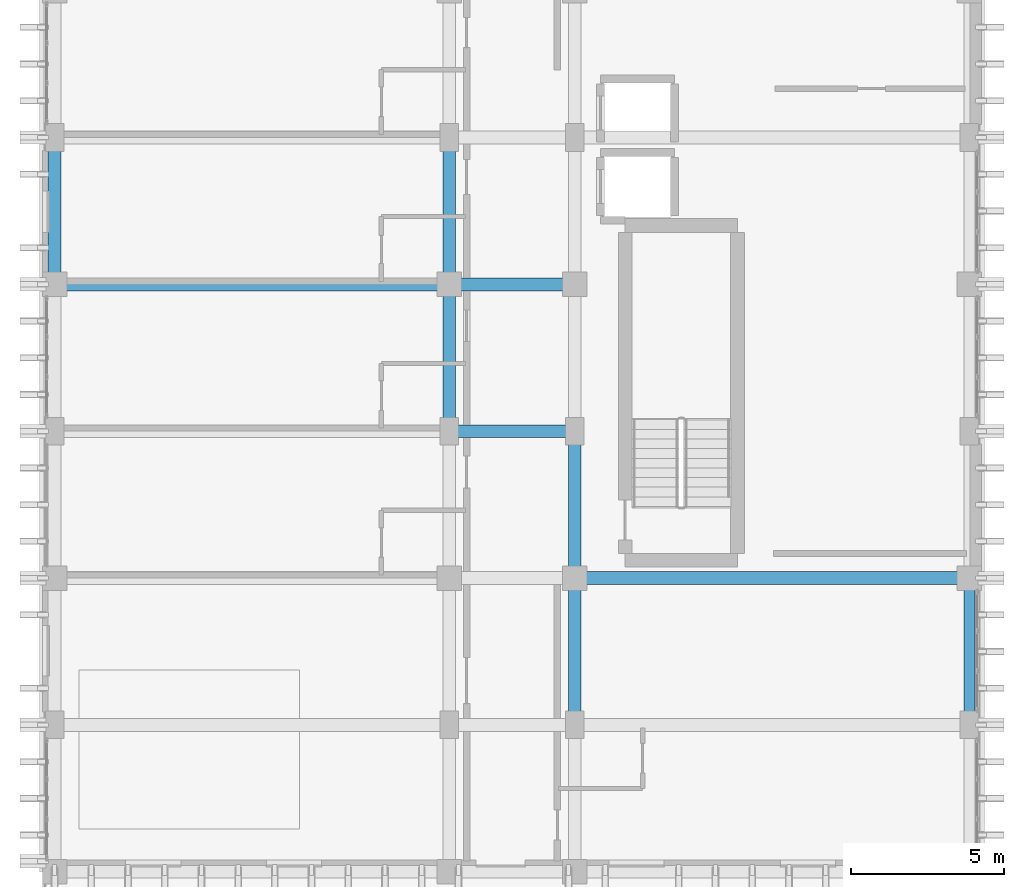
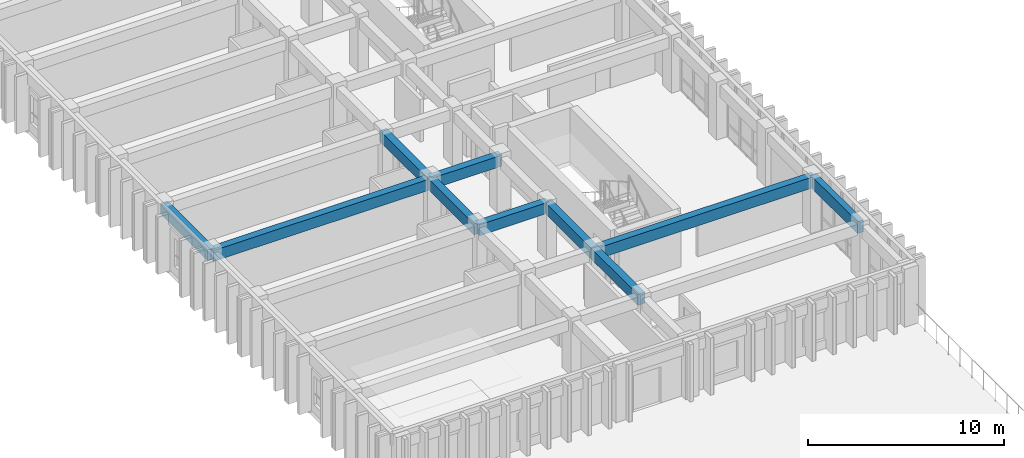
# One storey, part 9 of 82: 10 beams.
"""IFC4 building model written with IfcOpenShell, lengths in metres."""

import ifcopenshell
import ifcopenshell.guid

model = None  # the IFC model being written
_history = None  # IfcOwnerHistory: only IFC2X3 demands one
_inside = {}  # id of a spatial element -> (the spatial element, [elements in it])
_under = {}  # id of a project, library or spatial element -> (it, [spatial elements below it])
_declared = {}  # id of a project -> (the project, [libraries it declares])
_typed = {}  # id of a type object -> (the type object, [elements of that type])
_made_of = {}  # id of a material, layer set ... -> (it, [elements and type objects made of it])


def new_model(schema):
    """Start an empty IFC model of exactly this schema.

    Asked for "IFC4X3", IfcOpenShell would pick the latest addendum, in which some entities
    have other attributes; the version numbers below select the first issue.
    IFC2X3 requires an IfcOwnerHistory on every rooted entity: one is made here for all.
    """
    global model, _history
    if schema == "IFC4X3":
        model = ifcopenshell.file(schema_version=(4, 3, 0, 0))
    else:
        model = ifcopenshell.file(schema=schema)
    _inside.clear()
    _under.clear()
    _declared.clear()
    _typed.clear()
    _made_of.clear()
    _history = None
    if model.schema == "IFC2X3":
        org = make("IfcOrganization", Name="unknown")
        user = make(
            "IfcPersonAndOrganization",
            ThePerson=make("IfcPerson", FamilyName="unknown"),
            TheOrganization=org,
        )
        app = make(
            "IfcApplication",
            ApplicationDeveloper=org,
            Version="unknown",
            ApplicationFullName="unknown",
            ApplicationIdentifier="unknown",
        )
        _history = make(
            "IfcOwnerHistory",
            OwningUser=user,
            OwningApplication=app,
            ChangeAction="ADDED",
            CreationDate=0,
        )
    return model


def make(cls, **values):
    """One entity of the class cls with the attributes given. An attribute that is None is left unset."""
    return model.create_entity(
        cls, **{name: value for name, value in values.items() if value is not None}
    )


def rooted(cls, **values):
    """An entity with a GlobalId (a new one), such as an element, a storey or a relation."""
    return make(cls, GlobalId=ifcopenshell.guid.new(), OwnerHistory=_history, **values)


def si_unit(unit_type, name, prefix=None):
    """IfcSIUnit, for example si_unit("LENGTHUNIT", "METRE", prefix="MILLI")."""
    return make("IfcSIUnit", UnitType=unit_type, Prefix=prefix, Name=name)


def assignment(units):
    """IfcUnitAssignment: the units of a project."""
    return None if units is None else make("IfcUnitAssignment", Units=units)


def point(xyz):
    """IfcCartesianPoint."""
    return None if xyz is None else make("IfcCartesianPoint", Coordinates=xyz)


def direction(xyz):
    """IfcDirection."""
    return None if xyz is None else make("IfcDirection", DirectionRatios=xyz)


def frame(location, z_axis=None, x_axis=None):
    """IfcAxis2Placement3D, a coordinate frame: its origin and axes. An axis left out is left unset."""
    return make(
        "IfcAxis2Placement3D",
        Location=point(location),
        Axis=direction(z_axis),
        RefDirection=direction(x_axis),
    )


def frame_2d(location, x_axis=None):
    """IfcAxis2Placement2D, a coordinate frame in the plane: its origin and x axis."""
    return make(
        "IfcAxis2Placement2D", Location=point(location), RefDirection=direction(x_axis)
    )


def origin():
    """The frame at (0, 0, 0) with its axes left unset."""
    return frame((0.0, 0.0, 0.0))


def origin_2d():
    """The frame at (0, 0) in the plane with its x axis left unset."""
    return frame_2d((0.0, 0.0))


def place(relative_to, where):
    """IfcLocalPlacement: puts the frame where relative to a parent placement (None: the world)."""
    return make(
        "IfcLocalPlacement", PlacementRelTo=relative_to, RelativePlacement=where
    )


def context(
    kind, dimensions, precision=None, world=None, true_north=None, identifier=None
):
    """IfcGeometricRepresentationContext, for example the 3D "Model" context."""
    return make(
        "IfcGeometricRepresentationContext",
        ContextIdentifier=identifier,
        ContextType=kind,
        CoordinateSpaceDimension=dimensions,
        Precision=precision,
        WorldCoordinateSystem=world,
        TrueNorth=true_north,
    )


def subcontext(parent, identifier, kind, view, scale=None):
    """IfcGeometricRepresentationSubContext, for example "Body" below "Model"."""
    return make(
        "IfcGeometricRepresentationSubContext",
        ContextIdentifier=identifier,
        ContextType=kind,
        ParentContext=parent,
        TargetScale=scale,
        TargetView=view,
    )


def project(units=None, contexts=None):
    """IfcProject with its units and contexts."""
    return rooted(
        "IfcProject",
        Name="project",
        RepresentationContexts=contexts,
        UnitsInContext=assignment(units),
    )


def spatial(cls, under=None, at=None, **own):
    """A site, building, storey or space (cls), placed at a placement, below another one or the project."""
    s = rooted(cls, ObjectPlacement=at, **own)
    if under is not None:
        _under.setdefault(under.id(), (under, []))[1].append(s)
    return s


def profile(cls, at=None, kind="AREA", **sizes):
    """A parametric profile (cls). Its sizes go by their IFC names, for example OverallWidth=200.0."""
    return make(cls, ProfileType=kind, Position=at, **sizes)


def rectangle(**sizes):
    """IfcRectangleProfileDef."""
    return profile("IfcRectangleProfileDef", **sizes)


def extrude(swept, where, along, depth):
    """IfcExtrudedAreaSolid: the profile swept, set in the frame where, extruded along a direction by depth."""
    return make(
        "IfcExtrudedAreaSolid",
        SweptArea=swept,
        Position=where,
        ExtrudedDirection=direction(along),
        Depth=depth,
    )


def shape(context_of_items, identifier, shape_type, items):
    """IfcShapeRepresentation: the items that make up one representation, for example the "Body"."""
    return make(
        "IfcShapeRepresentation",
        ContextOfItems=context_of_items,
        RepresentationIdentifier=identifier,
        RepresentationType=shape_type,
        Items=items,
    )


def material(Name=None, Category=None):
    """IfcMaterial."""
    return make("IfcMaterial", Name=Name, Category=Category)


def material_profile(
    of_material, cross_section, Name=None, Category=None, Priority=None
):
    """IfcMaterialProfile: a cross section and its material."""
    return make(
        "IfcMaterialProfile",
        Name=Name,
        Material=of_material,
        Profile=cross_section,
        Priority=Priority,
        Category=Category,
    )


def profile_set(profiles, Name=None, composite=None):
    """IfcMaterialProfileSet."""
    return make(
        "IfcMaterialProfileSet",
        Name=Name,
        MaterialProfiles=profiles,
        CompositeProfile=composite,
    )


def made_of(thing, what):
    """Note that an element or type object is made of a material, layer set ...; save() writes the relation."""
    if what is not None:
        _made_of.setdefault(what.id(), (what, []))[1].append(thing)
    return thing


def type_object(cls, material=None, **own):
    """A type object (cls), such as IfcWallType, which elements share."""
    return made_of(rooted(cls, **own), material)


def element(
    cls,
    number,
    at=None,
    inside=None,
    cuts=None,
    type_object=None,
    material=None,
    context=None,
    identifier="Body",
    shape_type=None,
    held_by="IfcProductDefinitionShape",
    body=None,
    shapes=None,
    **own,
):
    """One element of the class cls, such as IfcWall. Its Tag is "e" and its number.

    at: its placement. inside: the storey or other place that contains it. cuts: it is an
    opening in that element (IfcRelVoidsElement). A single representation is given by context,
    identifier, shape_type and body (its items); several are given by shapes. held_by: the class
    of the entity that holds the representations. save() writes the other relations.
    """
    e = rooted(cls, Tag="e%d" % number, ObjectPlacement=at, **own)
    if body is not None:
        shapes = [shape(context, identifier, shape_type, body)]
    if shapes is not None:
        e.Representation = make(held_by, Representations=shapes)
    if inside is not None:
        _inside.setdefault(inside.id(), (inside, []))[1].append(e)
    if cuts is not None:
        rooted(
            "IfcRelVoidsElement", RelatingBuildingElement=cuts, RelatedOpeningElement=e
        )
    if type_object is not None:
        _typed.setdefault(type_object.id(), (type_object, []))[1].append(e)
    return made_of(e, material)


def aggregate(whole, parts):
    """IfcRelAggregates: a whole, such as a stair, and the parts it consists of."""
    return rooted("IfcRelAggregates", RelatingObject=whole, RelatedObjects=parts)


def save(model, path):
    """Write the relations noted so far, then the file.

    IfcRelAggregates (storeys below a building ...), IfcRelContainedInSpatialStructure (elements
    in a storey), IfcRelDefinesByType, IfcRelAssociatesMaterial and IfcRelDeclares: one each for
    every whole, place, type object, material and project.
    """
    for whole, parts in _under.values():
        aggregate(whole, parts)
    for where, things in _inside.values():
        rooted(
            "IfcRelContainedInSpatialStructure",
            RelatedElements=things,
            RelatingStructure=where,
        )
    for kind, things in _typed.values():
        rooted("IfcRelDefinesByType", RelatedObjects=things, RelatingType=kind)
    for what, things in _made_of.values():
        rooted("IfcRelAssociatesMaterial", RelatedObjects=things, RelatingMaterial=what)
    for by, libraries in _declared.values():
        rooted("IfcRelDeclares", RelatingContext=by, RelatedDefinitions=libraries)
    model.write(path)


model = new_model("IFC4")

# Units and contexts
model_context = context("Model", 3, precision=1e-05, world=origin(), true_north=direction((0.0, 1.0)))
body_context = subcontext(model_context, "Body", "Model", "MODEL_VIEW")
ifc_project = project(units=[si_unit("LENGTHUNIT", "METRE"), si_unit("AREAUNIT", "SQUARE_METRE"), si_unit("VOLUMEUNIT", "CUBIC_METRE"), si_unit("PLANEANGLEUNIT", "RADIAN"), si_unit("MASSUNIT", "GRAM", prefix="KILO")], contexts=[model_context])

# Site, building, storey
site_placement = place(None, origin())
site = spatial("IfcSite", under=ifc_project, at=site_placement, CompositionType="ELEMENT")
building_placement = place(site_placement, origin())
building = spatial("IfcBuilding", under=site, at=building_placement, Name="Nakhvara Creek Congress Hotel", CompositionType="ELEMENT")
storey_placement = place(building_placement, frame((0.0, 0.0, 21.0)))
storey = spatial("IfcBuildingStorey", under=building, at=storey_placement, Name="L04", CompositionType="ELEMENT", Elevation=21.0)

# Beams
ifc_material = material(Name="Concrete C40/50", Category="concrete")
ifc_material_profile_1 = material_profile(ifc_material, rectangle(XDim=0.419921875, YDim=0.679931640625, at=origin_2d()), Name="RC-BM 420x680", Category="LoadBearing")
ifc_profile_set_1 = profile_set([ifc_material_profile_1], Name="Concrete C40/50")
beam_type_1 = type_object("IfcBeamType", Name="BM-RC-420X680", PredefinedType="BEAM", material=ifc_profile_set_1)
beam_1_placement = place(storey_placement, frame((149.449951171875, 38.39990234375, 3.0), z_axis=(1.0, 0.0, 0.0), x_axis=(0.0, 1.0, 0.0)))
element("IfcBeam", 1, at=beam_1_placement, inside=storey, type_object=beam_type_1, Name="Beam B11-L04-1914", PredefinedType="BEAM", context=body_context, shape_type="SweptSolid", body=[
    extrude(rectangle(XDim=0.419921875, YDim=0.679931640625, at=origin_2d()), origin(), (0.0, 0.0, 1.0), 12.900146484375),
])
beam_2_placement = place(storey_placement, frame((149.449951171875, 38.39990234375, 3.0), z_axis=(0.0, 1.0, 0.0), x_axis=(-1.0, 0.0, 0.0)))
element("IfcBeam", 2, at=beam_2_placement, inside=storey, type_object=beam_type_1, Name="Beam B11-L04-1916", PredefinedType="BEAM", context=body_context, shape_type="SweptSolid", body=[
    extrude(rectangle(XDim=0.419921875, YDim=0.679931640625, at=origin_2d()), origin(), (0.0, 0.0, 1.0), 4.800048828125),
])
beam_3_placement = place(storey_placement, frame((162.35009765625, 38.39990234375, 3.0), z_axis=(1.0, 0.0, 0.0), x_axis=(0.0, 1.0, 0.0)))
element("IfcBeam", 3, at=beam_3_placement, inside=storey, type_object=beam_type_1, Name="Beam B11-L04-1946", PredefinedType="BEAM", context=body_context, shape_type="SweptSolid", body=[
    extrude(rectangle(XDim=0.419921875, YDim=0.679931640625, at=origin_2d()), origin(), (0.0, 0.0, 1.0), 4.099853515625),
])
beam_4_placement = place(storey_placement, frame((162.35009765625, 33.60009765625, 3.0), z_axis=(0.0, 1.0, 0.0), x_axis=(-1.0, 0.0, 0.0)))
element("IfcBeam", 4, at=beam_4_placement, inside=storey, type_object=beam_type_1, Name="Beam B11-L04-1947", PredefinedType="BEAM", context=body_context, shape_type="SweptSolid", body=[
    extrude(rectangle(XDim=0.419921875, YDim=0.679931640625, at=origin_2d()), origin(), (0.0, 0.0, 1.0), 4.7998046875),
])
beam_5_placement = place(storey_placement, frame((162.35009765625, 38.39990234375, 3.0), z_axis=(0.0, 1.0, 0.0), x_axis=(-1.0, 0.0, 0.0)))
element("IfcBeam", 5, at=beam_5_placement, inside=storey, type_object=beam_type_1, Name="Beam B11-L04-1948", PredefinedType="BEAM", context=body_context, shape_type="SweptSolid", body=[
    extrude(rectangle(XDim=0.419921875, YDim=0.679931640625, at=origin_2d()), origin(), (0.0, 0.0, 1.0), 4.800048828125),
])
beam_6_placement = place(storey_placement, frame((166.449951171875, 28.800048828125, 3.0), z_axis=(1.0, 0.0, 0.0), x_axis=(0.0, 1.0, 0.0)))
element("IfcBeam", 6, at=beam_6_placement, inside=storey, type_object=beam_type_1, Name="Beam B11-L04-1977", PredefinedType="BEAM", context=body_context, shape_type="SweptSolid", body=[
    extrude(rectangle(XDim=0.419921875, YDim=0.679931640625, at=origin_2d()), origin(), (0.0, 0.0, 1.0), 12.900146484375),
])
for number, where, z_axis, x_axis, name in (
    (7, (166.449951171875, 24.0, 3.0), (0.0, 1.0, 0.0), (-1.0, 0.0, 0.0), "Beam B11-L04-1978"),
    (8, (166.449951171875, 28.800048828125, 3.0), (0.0, 1.0, 0.0), (-1.0, 0.0, 0.0), "Beam B11-L04-1979"),
):
    element("IfcBeam", number, at=place(storey_placement, frame(where, z_axis=z_axis, x_axis=x_axis)), inside=storey, type_object=beam_type_1, Name=name, PredefinedType="BEAM", context=body_context, shape_type="SweptSolid", body=[
        extrude(rectangle(XDim=0.419921875, YDim=0.679931640625, at=origin_2d()), origin(), (0.0, 0.0, 1.0), 4.800048828125),
    ])
beam_7_placement = place(storey_placement, frame((162.35009765625, 33.60009765625, 3.0), z_axis=(1.0, 0.0, 0.0), x_axis=(0.0, 1.0, 0.0)))
element("IfcBeam", 9, at=beam_7_placement, inside=storey, type_object=beam_type_1, Name="Beam B11-L04-2039", PredefinedType="BEAM", context=body_context, shape_type="SweptSolid", body=[
    extrude(rectangle(XDim=0.419921875, YDim=0.679931640625, at=origin_2d()), origin(), (0.0, 0.0, 1.0), 4.099853515625),
])
ifc_material_profile_2 = material_profile(ifc_material, rectangle(XDim=0.35009765625, YDim=0.75, at=origin_2d()), Name="RC-SPANDREL 350x750", Category="LoadBearing")
ifc_profile_set_2 = profile_set([ifc_material_profile_2], Name="Concrete C40/50")
beam_type_2 = type_object("IfcBeamType", Name="BM-SPN-350X750", PredefinedType="SPANDREL", material=ifc_profile_set_2)
beam_8_placement = place(storey_placement, frame((179.35009765625, 24.0, 2.965087890625), z_axis=(0.0, 1.0, 0.0), x_axis=(-1.0, 0.0, 0.0)))
element("IfcBeam", 10, at=beam_8_placement, inside=storey, type_object=beam_type_2, Name="Beam SP1-L04-2008", PredefinedType="SPANDREL", context=body_context, shape_type="SweptSolid", body=[
    extrude(rectangle(XDim=0.35009765625, YDim=0.75, at=origin_2d()), origin(), (0.0, 0.0, 1.0), 4.800048828125),
])

save(model, "model.ifc")
